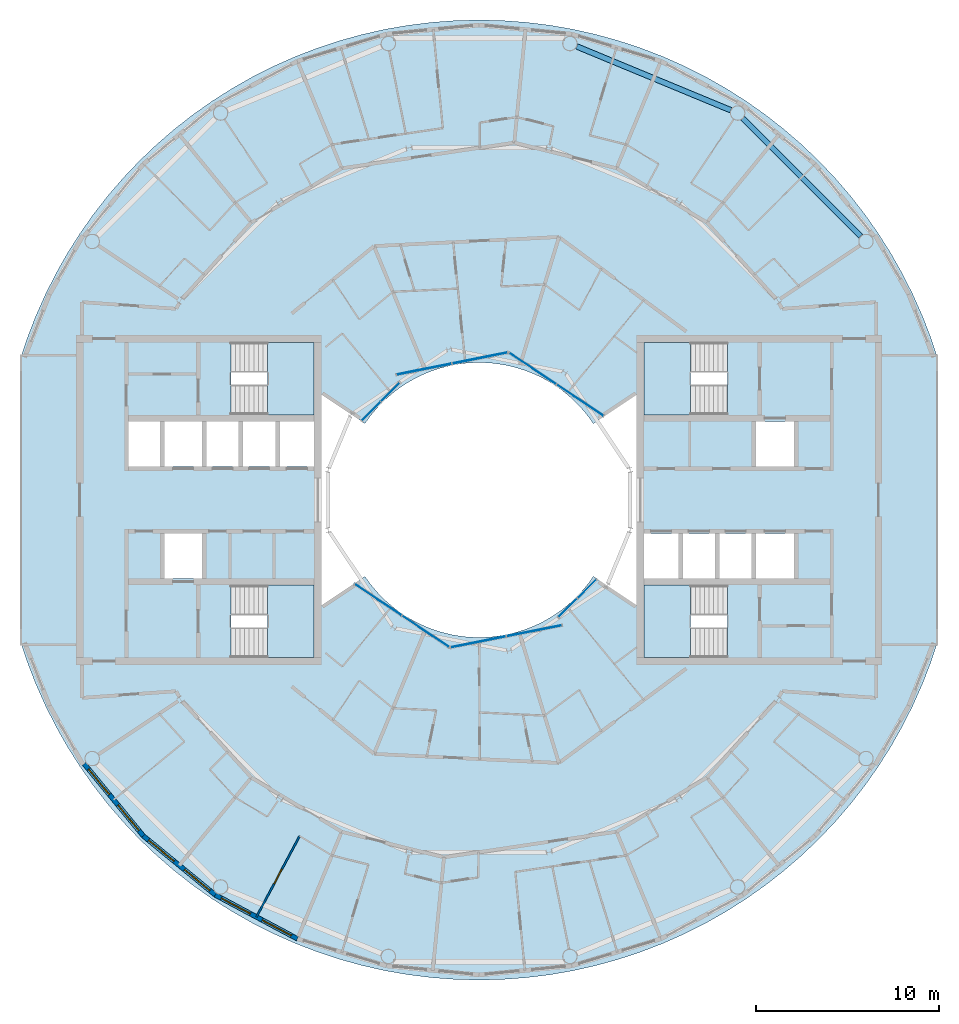
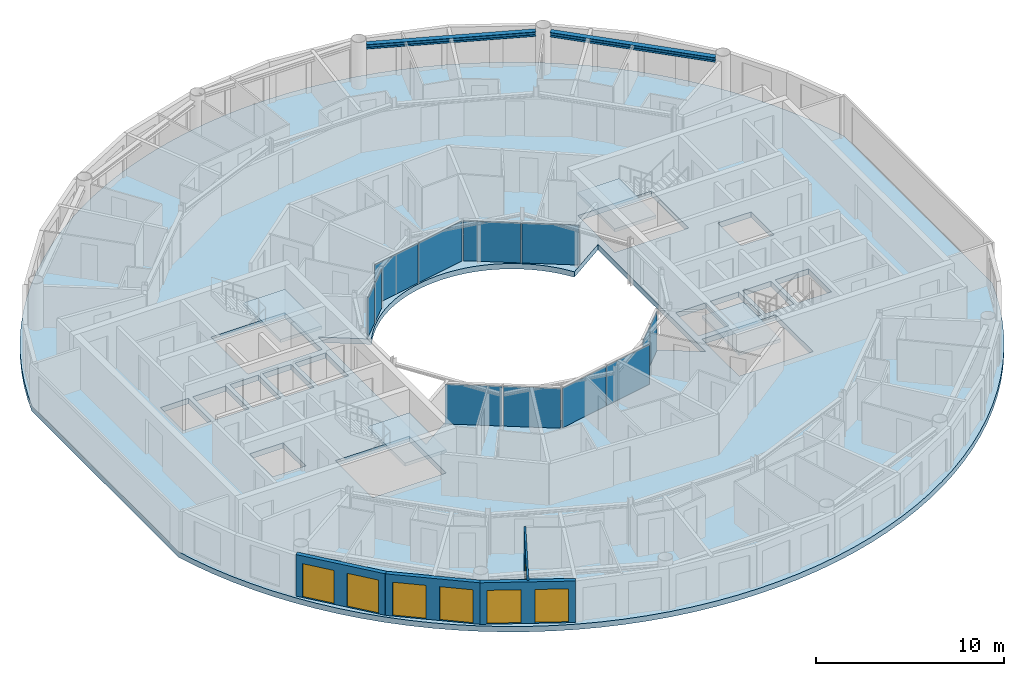
# One storey, part 10 of 22: 12 plates, 7 doors, 5 slabs, 4 walls, 2 beams, 7 openings, 10 elements without a shape of their own.
"""IFC4 building model written with IfcOpenShell, lengths in metres."""

from ifc_helpers import new_model, si_unit, direction, frame, frame_2d, origin, origin_2d, place, context, subcontext, project, spatial, polyline, rectangle, i_section, outline, extrude, material, layer, layer_set, material_profile, profile_set, type_object, element, fill, aggregate, save


model = new_model("IFC4")

# Units and contexts
model_context = context("Model", 3, precision=1e-05, world=origin(), true_north=direction((0.0, 1.0)))
body_context = subcontext(model_context, "Body", "Model", "MODEL_VIEW")
ifc_project = project(units=[si_unit("LENGTHUNIT", "METRE"), si_unit("AREAUNIT", "SQUARE_METRE"), si_unit("VOLUMEUNIT", "CUBIC_METRE"), si_unit("PLANEANGLEUNIT", "RADIAN"), si_unit("MASSUNIT", "GRAM", prefix="KILO")], contexts=[model_context])

# Site, building, storey
site_placement = place(None, origin())
site = spatial("IfcSite", under=ifc_project, at=site_placement, CompositionType="ELEMENT")
building_placement = place(site_placement, origin())
building = spatial("IfcBuilding", under=site, at=building_placement, Name="Maasbend Ring Residences", CompositionType="ELEMENT")
storey_placement = place(building_placement, frame((0.0, 0.0, 237.10009765625)))
storey = spatial("IfcBuildingStorey", under=building, at=storey_placement, Name="L68", CompositionType="ELEMENT", Elevation=237.10009765625)

# Beams
ifc_material_1 = material(Name="Steel S355J2", Category="steel")
ifc_material_profile = material_profile(ifc_material_1, i_section(OverallWidth=0.300048828125, OverallDepth=0.300048828125, WebThickness=0.010986328125, FlangeThickness=0.01904296875, FilletRadius=0.027099609375, at=origin_2d()), Name="HEB 300")
ifc_profile_set = profile_set([ifc_material_profile], Name="Steel S355J2")
beam_type = type_object("IfcBeamType", Name="Spandrel ring beam HEB 300", PredefinedType="SPANDREL", material=ifc_profile_set)
for number, where, z_axis, x_axis, name in (
    (1, (20.831787109375, 14.39892578125, 2.5498046875), (-0.707106781187, 0.707106781187, 0.0), (-0.707106781187, -0.707106781187, 0.0), "Spandrel ring beam"),
    (2, (13.73583984375, 21.27490234375, 2.5498046875), (-0.923880768897, 0.382680447453, 0.0), (-0.382680447453, -0.923880768897, 0.0), "Spandrel ring beam"),
):
    element("IfcBeam", number, at=place(storey_placement, frame(where, z_axis=z_axis, x_axis=x_axis)), inside=storey, type_object=beam_type, Name=name, PredefinedType="SPANDREL", context=body_context, shape_type="SweptSolid", body=[
        extrude(i_section(OverallWidth=0.300048828125, OverallDepth=0.300048828125, WebThickness=0.010986328125, FlangeThickness=0.01904296875, FilletRadius=0.027099609375, at=origin_2d()), origin(), (0.0, 0.0, 1.0), 9.097412109375),
    ])

# Stair, slab
ifc_material_2 = material(Name="Concrete C40/50", Category="concrete")
stair_type = type_object("IfcStairType", Name="CORE STAIR 18 RISERS", PredefinedType="HALF_TURN_STAIR", material=ifc_material_2)
stair_1_placement = place(storey_placement, origin())
stair_1 = element("IfcStair", 3, at=stair_1_placement, inside=storey, type_object=stair_type, Name="L68 Exit stair ST-E1", PredefinedType="HALF_TURN_STAIR")
ifc_material_3 = material(Name="Concrete C40/50", Category="concrete")
ifc_layer_1 = layer(ifc_material_3, 0.199951171875)
ifc_layer_set_1 = layer_set([ifc_layer_1], Name="Concrete C40/50")
slab_type_1 = type_object("IfcSlabType", Name="CORE STAIR LANDING 200", PredefinedType="LANDING", material=ifc_layer_set_1)
slab_1_placement = place(storey_placement, frame((0.0, 0.0, 1.324951171875)))
slab_1 = element("IfcSlab", 4, at=slab_1_placement, type_object=slab_type_1, Name="ST-E1 landing 1", PredefinedType="LANDING", context=body_context, shape_type="SweptSolid", body=[
    extrude(outline(polyline([(11.550048828125, 8.60009765625), (9.0, 8.60009765625), (9.0, 4.64990234375), (11.550048828125, 4.64990234375), (11.550048828125, 8.60009765625)])), origin(), (0.0, 0.0, 1.0), 0.199951171875),
])
aggregate(stair_1, [slab_1])

stair_2_placement = place(storey_placement, origin())
stair_2 = element("IfcStair", 5, at=stair_2_placement, inside=storey, type_object=stair_type, Name="L68 Exit stair ST-E2", PredefinedType="HALF_TURN_STAIR")
slab_2_placement = place(storey_placement, frame((0.0, 0.0, 1.324951171875)))
slab_2 = element("IfcSlab", 6, at=slab_2_placement, type_object=slab_type_1, Name="ST-E2 landing 1", PredefinedType="LANDING", context=body_context, shape_type="SweptSolid", body=[
    extrude(outline(polyline([(11.550048828125, -4.64990234375), (9.0, -4.64990234375), (9.0, -8.60009765625), (11.550048828125, -8.60009765625), (11.550048828125, -4.64990234375)])), origin(), (0.0, 0.0, 1.0), 0.199951171875),
])
aggregate(stair_2, [slab_2])

stair_3_placement = place(storey_placement, origin())
stair_3 = element("IfcStair", 7, at=stair_3_placement, inside=storey, type_object=stair_type, Name="L68 Exit stair ST-W1", PredefinedType="HALF_TURN_STAIR")
slab_3_placement = place(storey_placement, frame((0.0, 0.0, 1.324951171875)))
slab_3 = element("IfcSlab", 8, at=slab_3_placement, type_object=slab_type_1, Name="ST-W1 landing 1", PredefinedType="LANDING", context=body_context, shape_type="SweptSolid", body=[
    extrude(outline(polyline([(-11.550048828125, -8.60009765625), (-9.0, -8.60009765625), (-9.0, -4.64990234375), (-11.550048828125, -4.64990234375), (-11.550048828125, -8.60009765625)])), origin(), (0.0, 0.0, 1.0), 0.199951171875),
])
aggregate(stair_3, [slab_3])

stair_4_placement = place(storey_placement, origin())
stair_4 = element("IfcStair", 9, at=stair_4_placement, inside=storey, type_object=stair_type, Name="L68 Exit stair ST-W2", PredefinedType="HALF_TURN_STAIR")
slab_4_placement = place(storey_placement, frame((0.0, 0.0, 1.324951171875)))
slab_4 = element("IfcSlab", 10, at=slab_4_placement, type_object=slab_type_1, Name="ST-W2 landing 1", PredefinedType="LANDING", context=body_context, shape_type="SweptSolid", body=[
    extrude(outline(polyline([(-11.550048828125, 4.64990234375), (-9.0, 4.64990234375), (-9.0, 8.60009765625), (-11.550048828125, 8.60009765625), (-11.550048828125, 4.64990234375)])), origin(), (0.0, 0.0, 1.0), 0.199951171875),
])
aggregate(stair_4, [slab_4])

# Curtain wall, plates
ifc_material_4 = material(Name="Aluminium and clear glass", Category="aluminium")
ifc_layer_2 = layer(ifc_material_4, 0.179931640625)
ifc_layer_set_2 = layer_set([ifc_layer_2], Name="CW-W")
curtain_wall_type = type_object("IfcCurtainWallType", Name="CW-W", PredefinedType="NOTDEFINED", material=ifc_layer_set_2)
curtain_wall_1_placement = place(storey_placement, origin())
curtain_wall_1 = element("IfcCurtainWall", 11, at=curtain_wall_1_placement, inside=storey, type_object=curtain_wall_type, Name="Well curtain wall N1", PredefinedType="NOTDEFINED")
ifc_material_5 = material(Name="Glass clear laminated", Category="glass")
ifc_layer_3 = layer(ifc_material_5, 0.031982421875)
ifc_layer_set_3 = layer_set([ifc_layer_3], Name="CWP-W")
plate_type = type_object("IfcPlateType", Name="CWP-W", PredefinedType="CURTAIN_PANEL", material=ifc_layer_set_3)
plate_1_placement = place(storey_placement, frame((5.51123046875, 5.44580078125, -0.000244140625), z_axis=(0.0, 0.0, 1.0), x_axis=(-0.831469612303, 0.55557023302, 0.0)))
plate_1 = element("IfcPlate", 12, at=plate_1_placement, type_object=plate_type, Name="Glass panel well face", PredefinedType="CURTAIN_PANEL", context=body_context, shape_type="SweptSolid", body=[
    extrude(rectangle(XDim=3.053955078125, YDim=0.031982421875, at=origin_2d()), origin(), (0.0, 0.0, 1.0), 2.580078125),
])
plate_2_placement = place(storey_placement, frame((2.922119140625, 7.17578125, -0.000244140625), z_axis=(0.0, 0.0, 1.0), x_axis=(-0.831469612303, 0.55557023302, 0.0)))
plate_2 = element("IfcPlate", 13, at=plate_2_placement, type_object=plate_type, Name="Glass panel well face", PredefinedType="CURTAIN_PANEL", context=body_context, shape_type="SweptSolid", body=[
    extrude(rectangle(XDim=3.053955078125, YDim=0.031982421875, at=origin_2d()), origin(), (0.0, 0.0, 1.0), 2.580078125),
])
aggregate(curtain_wall_1, [plate_1, plate_2])

curtain_wall_2_placement = place(storey_placement, origin())
curtain_wall_2 = element("IfcCurtainWall", 14, at=curtain_wall_2_placement, inside=storey, type_object=curtain_wall_type, Name="Well curtain wall N2", PredefinedType="NOTDEFINED")
plate_3_placement = place(storey_placement, frame((0.04638671875, 7.747802734375, -0.000244140625), z_axis=(0.0, 0.0, 1.0), x_axis=(-0.980785280403, -0.195090322016, 0.0)))
plate_3 = element("IfcPlate", 15, at=plate_3_placement, type_object=plate_type, Name="Glass panel well face", PredefinedType="CURTAIN_PANEL", context=body_context, shape_type="SweptSolid", body=[
    extrude(rectangle(XDim=3.053955078125, YDim=0.031982421875, at=origin_2d()), origin(), (0.0, 0.0, 1.0), 2.580078125),
])
plate_4_placement = place(storey_placement, frame((-3.0078125, 7.140380859375, -0.000244140625), z_axis=(0.0, 0.0, 1.0), x_axis=(-0.980785280403, -0.195090322016, 0.0)))
plate_4 = element("IfcPlate", 16, at=plate_4_placement, type_object=plate_type, Name="Glass panel well face", PredefinedType="CURTAIN_PANEL", context=body_context, shape_type="SweptSolid", body=[
    extrude(rectangle(XDim=3.053955078125, YDim=0.031982421875, at=origin_2d()), origin(), (0.0, 0.0, 1.0), 2.580078125),
])
aggregate(curtain_wall_2, [plate_3, plate_4])

curtain_wall_3_placement = place(storey_placement, origin())
curtain_wall_3 = element("IfcCurtainWall", 17, at=curtain_wall_3_placement, inside=storey, type_object=curtain_wall_type, Name="Well curtain wall N3", PredefinedType="NOTDEFINED")
plate_5_placement = place(storey_placement, frame((-4.84375, 5.89013671875, -0.000244140625), z_axis=(0.0, 0.0, 1.0), x_axis=(-0.707106781187, -0.707106781187, 0.0)))
plate_5 = element("IfcPlate", 18, at=plate_5_placement, type_object=plate_type, Name="Glass panel well face", PredefinedType="CURTAIN_PANEL", context=body_context, shape_type="SweptSolid", body=[
    extrude(rectangle(XDim=1.419677734375, YDim=0.031982421875, at=origin_2d()), origin(), (0.0, 0.0, 1.0), 2.580078125),
])
plate_6_placement = place(storey_placement, frame((-5.89013671875, 4.84375, -0.000244140625), z_axis=(0.0, 0.0, 1.0), x_axis=(-0.707106781187, -0.707106781187, 0.0)))
plate_6 = element("IfcPlate", 19, at=plate_6_placement, type_object=plate_type, Name="Glass panel well face", PredefinedType="CURTAIN_PANEL", context=body_context, shape_type="SweptSolid", body=[
    extrude(rectangle(XDim=1.419677734375, YDim=0.031982421875, at=origin_2d()), origin(), (0.0, 0.0, 1.0), 2.580078125),
])
aggregate(curtain_wall_3, [plate_5, plate_6])

curtain_wall_4_placement = place(storey_placement, origin())
curtain_wall_4 = element("IfcCurtainWall", 20, at=curtain_wall_4_placement, inside=storey, type_object=curtain_wall_type, Name="Well curtain wall S1", PredefinedType="NOTDEFINED")
plate_7_placement = place(storey_placement, frame((-5.51123046875, -5.44580078125, -0.000244140625), z_axis=(0.0, 0.0, 1.0), x_axis=(0.831469612303, -0.55557023302, 0.0)))
plate_7 = element("IfcPlate", 21, at=plate_7_placement, type_object=plate_type, Name="Glass panel well face", PredefinedType="CURTAIN_PANEL", context=body_context, shape_type="SweptSolid", body=[
    extrude(rectangle(XDim=3.053955078125, YDim=0.031982421875, at=origin_2d()), origin(), (0.0, 0.0, 1.0), 2.580078125),
])
plate_8_placement = place(storey_placement, frame((-2.922119140625, -7.17578125, -0.000244140625), z_axis=(0.0, 0.0, 1.0), x_axis=(0.831469612303, -0.55557023302, 0.0)))
plate_8 = element("IfcPlate", 22, at=plate_8_placement, type_object=plate_type, Name="Glass panel well face", PredefinedType="CURTAIN_PANEL", context=body_context, shape_type="SweptSolid", body=[
    extrude(rectangle(XDim=3.053955078125, YDim=0.031982421875, at=origin_2d()), origin(), (0.0, 0.0, 1.0), 2.580078125),
])
aggregate(curtain_wall_4, [plate_7, plate_8])

curtain_wall_5_placement = place(storey_placement, origin())
curtain_wall_5 = element("IfcCurtainWall", 23, at=curtain_wall_5_placement, inside=storey, type_object=curtain_wall_type, Name="Well curtain wall S2", PredefinedType="NOTDEFINED")
plate_9_placement = place(storey_placement, frame((-0.04638671875, -7.747802734375, -0.000244140625), z_axis=(0.0, 0.0, 1.0), x_axis=(0.980785280403, 0.195090322016, 0.0)))
plate_9 = element("IfcPlate", 24, at=plate_9_placement, type_object=plate_type, Name="Glass panel well face", PredefinedType="CURTAIN_PANEL", context=body_context, shape_type="SweptSolid", body=[
    extrude(rectangle(XDim=3.053955078125, YDim=0.031982421875, at=origin_2d()), origin(), (0.0, 0.0, 1.0), 2.580078125),
])
plate_10_placement = place(storey_placement, frame((3.0078125, -7.140380859375, -0.000244140625), z_axis=(0.0, 0.0, 1.0), x_axis=(0.980785280403, 0.195090322016, 0.0)))
plate_10 = element("IfcPlate", 25, at=plate_10_placement, type_object=plate_type, Name="Glass panel well face", PredefinedType="CURTAIN_PANEL", context=body_context, shape_type="SweptSolid", body=[
    extrude(rectangle(XDim=3.053955078125, YDim=0.031982421875, at=origin_2d()), origin(), (0.0, 0.0, 1.0), 2.580078125),
])
aggregate(curtain_wall_5, [plate_9, plate_10])

curtain_wall_6_placement = place(storey_placement, origin())
curtain_wall_6 = element("IfcCurtainWall", 26, at=curtain_wall_6_placement, inside=storey, type_object=curtain_wall_type, Name="Well curtain wall S3", PredefinedType="NOTDEFINED")
plate_11_placement = place(storey_placement, frame((4.84375, -5.89013671875, -0.000244140625), z_axis=(0.0, 0.0, 1.0), x_axis=(0.707106781187, 0.707106781187, 0.0)))
plate_11 = element("IfcPlate", 27, at=plate_11_placement, type_object=plate_type, Name="Glass panel well face", PredefinedType="CURTAIN_PANEL", context=body_context, shape_type="SweptSolid", body=[
    extrude(rectangle(XDim=1.419677734375, YDim=0.031982421875, at=origin_2d()), origin(), (0.0, 0.0, 1.0), 2.580078125),
])
plate_12_placement = place(storey_placement, frame((5.89013671875, -4.84375, -0.000244140625), z_axis=(0.0, 0.0, 1.0), x_axis=(0.707106781187, 0.707106781187, 0.0)))
plate_12 = element("IfcPlate", 28, at=plate_12_placement, type_object=plate_type, Name="Glass panel well face", PredefinedType="CURTAIN_PANEL", context=body_context, shape_type="SweptSolid", body=[
    extrude(rectangle(XDim=1.419677734375, YDim=0.031982421875, at=origin_2d()), origin(), (0.0, 0.0, 1.0), 2.580078125),
])
aggregate(curtain_wall_6, [plate_11, plate_12])

# Slab
ifc_material_6 = material(Name="Concrete C40/50", Category="concrete")
ifc_layer_4 = layer(ifc_material_6, 0.35009765625)
ifc_layer_set_4 = layer_set([ifc_layer_4], Name="Concrete C40/50")
slab_type_2 = type_object("IfcSlabType", Name="Post-tensioned flat plate 350", PredefinedType="FLOOR", material=ifc_layer_set_4)
slab_5_placement = place(storey_placement, frame((0.0, 0.0, -0.35009765625)))
element("IfcSlab", 29, at=slab_5_placement, inside=storey, type_object=slab_type_2, Name="Floor slab L68", PredefinedType="FLOOR", context=body_context, shape_type="SweptSolid", body=[
    extrude(outline(polyline([(23.106201171875, -12.3505859375), (23.6845703125, -11.201904296875), (24.20556640625, -10.0263671875), (24.66845703125, -8.826416015625), (25.0, -7.822998046875), (25.0, 7.822998046875), (24.66845703125, 8.826416015625), (24.20556640625, 10.0263671875), (23.6845703125, 11.201904296875), (23.106201171875, 12.3505859375), (22.472412109375, 13.469482421875), (21.784423828125, 14.555908203125), (21.0439453125, 15.607421875), (20.2529296875, 16.62109375), (19.412841796875, 17.5947265625), (18.526123046875, 18.526123046875), (17.5947265625, 19.412841796875), (16.62109375, 20.2529296875), (15.607421875, 21.0439453125), (14.555908203125, 21.784423828125), (13.469482421875, 22.472412109375), (12.3505859375, 23.106201171875), (11.201904296875, 23.6845703125), (10.0263671875, 24.20556640625), (8.826416015625, 24.66845703125), (7.60546875, 25.07177734375), (6.3662109375, 25.414794921875), (5.111328125, 25.696533203125), (3.84423828125, 25.91650390625), (2.568115234375, 26.07373046875), (1.28564453125, 26.16845703125), (0.0, 26.199951171875), (-1.28564453125, 26.16845703125), (-2.568115234375, 26.07373046875), (-3.84423828125, 25.91650390625), (-5.111328125, 25.696533203125), (-6.3662109375, 25.414794921875), (-7.60546875, 25.07177734375), (-8.826416015625, 24.66845703125), (-10.0263671875, 24.20556640625), (-11.201904296875, 23.6845703125), (-12.3505859375, 23.106201171875), (-13.469482421875, 22.472412109375), (-14.555908203125, 21.784423828125), (-15.607421875, 21.0439453125), (-16.62109375, 20.2529296875), (-17.5947265625, 19.412841796875), (-18.526123046875, 18.526123046875), (-19.412841796875, 17.5947265625), (-20.2529296875, 16.62109375), (-21.0439453125, 15.607421875), (-21.784423828125, 14.555908203125), (-22.472412109375, 13.469482421875), (-23.106201171875, 12.3505859375), (-23.6845703125, 11.201904296875), (-24.20556640625, 10.0263671875), (-24.66845703125, 8.826416015625), (-25.0, 7.822998046875), (-25.0, -7.822998046875), (-24.66845703125, -8.826416015625), (-24.20556640625, -10.0263671875), (-23.6845703125, -11.201904296875), (-23.106201171875, -12.3505859375), (-22.472412109375, -13.469482421875), (-21.784423828125, -14.555908203125), (-21.0439453125, -15.607421875), (-20.2529296875, -16.62109375), (-19.412841796875, -17.5947265625), (-18.526123046875, -18.526123046875), (-17.5947265625, -19.412841796875), (-16.62109375, -20.2529296875), (-15.607421875, -21.0439453125), (-14.555908203125, -21.784423828125), (-13.469482421875, -22.472412109375), (-12.3505859375, -23.106201171875), (-11.201904296875, -23.6845703125), (-10.0263671875, -24.20556640625), (-8.826416015625, -24.66845703125), (-7.60546875, -25.07177734375), (-6.3662109375, -25.414794921875), (-5.111328125, -25.696533203125), (-3.84423828125, -25.91650390625), (-2.568115234375, -26.07373046875), (-1.28564453125, -26.16845703125), (0.0, -26.199951171875), (1.28564453125, -26.16845703125), (2.568115234375, -26.07373046875), (3.84423828125, -25.91650390625), (5.111328125, -25.696533203125), (6.3662109375, -25.414794921875), (7.60546875, -25.07177734375), (8.826416015625, -24.66845703125), (10.0263671875, -24.20556640625), (11.201904296875, -23.6845703125), (12.3505859375, -23.106201171875), (13.469482421875, -22.472412109375), (14.555908203125, -21.784423828125), (15.607421875, -21.0439453125), (16.62109375, -20.2529296875), (17.5947265625, -19.412841796875), (18.526123046875, -18.526123046875), (19.412841796875, -17.5947265625), (20.2529296875, -16.62109375), (21.0439453125, -15.607421875), (21.784423828125, -14.555908203125), (22.472412109375, -13.469482421875), (23.106201171875, -12.3505859375)]), holes=[polyline([(15.125, 1.824951171875), (15.125, 4.27490234375), (17.175048828125, 4.27490234375), (17.175048828125, 1.824951171875), (15.125, 1.824951171875)]), polyline([(15.125, -4.27490234375), (15.125, -1.824951171875), (17.175048828125, -1.824951171875), (17.175048828125, -4.27490234375), (15.125, -4.27490234375)]), polyline([(13.125, -4.27490234375), (13.125, -1.824951171875), (14.875, -1.824951171875), (14.875, -4.27490234375), (13.125, -4.27490234375)]), polyline([(13.550048828125, 8.60009765625), (13.550048828125, 4.64990234375), (9.0, 4.64990234375), (9.0, 8.60009765625), (13.550048828125, 8.60009765625)]), polyline([(13.550048828125, -4.64990234375), (13.550048828125, -8.60009765625), (9.0, -8.60009765625), (9.0, -4.64990234375), (13.550048828125, -4.64990234375)]), polyline([(11.125, -4.27490234375), (11.125, -1.824951171875), (12.875, -1.824951171875), (12.875, -4.27490234375), (11.125, -4.27490234375)]), polyline([(9.0, -4.27490234375), (9.0, -1.824951171875), (10.875, -1.824951171875), (10.875, -4.27490234375), (9.0, -4.27490234375)]), polyline([(6.024169921875, 4.4677734375), (6.236083984375, 4.166748046875), (8.60009765625, 5.746337890625), (8.60009765625, -5.746337890625), (6.236083984375, -4.166748046875), (6.024169921875, -4.4677734375), (5.797607421875, -4.7578125), (5.55712890625, -5.03662109375), (5.30322265625, -5.30322265625), (5.03662109375, -5.55712890625), (4.7578125, -5.797607421875), (4.4677734375, -6.024169921875), (4.166748046875, -6.236083984375), (3.855712890625, -6.43310546875), (3.535400390625, -6.614501953125), (3.206787109375, -6.77978515625), (2.8701171875, -6.92919921875), (2.526611328125, -7.0615234375), (2.177001953125, -7.177001953125), (1.822509765625, -7.275146484375), (1.463134765625, -7.35595703125), (1.1005859375, -7.418701171875), (0.735107421875, -7.4638671875), (0.367919921875, -7.490966796875), (0.0, -7.5), (-0.367919921875, -7.490966796875), (-0.735107421875, -7.4638671875), (-1.1005859375, -7.418701171875), (-1.463134765625, -7.35595703125), (-1.822509765625, -7.275146484375), (-2.177001953125, -7.177001953125), (-2.526611328125, -7.0615234375), (-2.8701171875, -6.92919921875), (-3.206787109375, -6.77978515625), (-3.535400390625, -6.614501953125), (-3.855712890625, -6.43310546875), (-4.166748046875, -6.236083984375), (-4.4677734375, -6.024169921875), (-4.7578125, -5.797607421875), (-5.03662109375, -5.55712890625), (-5.30322265625, -5.30322265625), (-5.55712890625, -5.03662109375), (-5.797607421875, -4.7578125), (-6.024169921875, -4.4677734375), (-6.236083984375, -4.166748046875), (-8.60009765625, -5.746337890625), (-8.60009765625, 5.746337890625), (-6.236083984375, 4.166748046875), (-6.024169921875, 4.4677734375), (-5.797607421875, 4.7578125), (-5.55712890625, 5.03662109375), (-5.30322265625, 5.30322265625), (-5.03662109375, 5.55712890625), (-4.7578125, 5.797607421875), (-4.4677734375, 6.024169921875), (-4.166748046875, 6.236083984375), (-3.855712890625, 6.43310546875), (-3.535400390625, 6.614501953125), (-3.206787109375, 6.77978515625), (-2.8701171875, 6.92919921875), (-2.526611328125, 7.0615234375), (-2.177001953125, 7.177001953125), (-1.822509765625, 7.275146484375), (-1.463134765625, 7.35595703125), (-1.1005859375, 7.418701171875), (-0.735107421875, 7.4638671875), (-0.367919921875, 7.490966796875), (0.0, 7.5), (0.367919921875, 7.490966796875), (0.735107421875, 7.4638671875), (1.1005859375, 7.418701171875), (1.463134765625, 7.35595703125), (1.822509765625, 7.275146484375), (2.177001953125, 7.177001953125), (2.526611328125, 7.0615234375), (2.8701171875, 6.92919921875), (3.206787109375, 6.77978515625), (3.535400390625, 6.614501953125), (3.855712890625, 6.43310546875), (4.166748046875, 6.236083984375), (4.4677734375, 6.024169921875), (4.7578125, 5.797607421875), (5.03662109375, 5.55712890625), (5.30322265625, 5.30322265625), (5.55712890625, 5.03662109375), (5.797607421875, 4.7578125), (6.024169921875, 4.4677734375)]), polyline([(-13.550048828125, 4.64990234375), (-13.550048828125, 8.60009765625), (-9.0, 8.60009765625), (-9.0, 4.64990234375), (-13.550048828125, 4.64990234375)]), polyline([(-9.0, -8.60009765625), (-13.550048828125, -8.60009765625), (-13.550048828125, -4.64990234375), (-9.0, -4.64990234375), (-9.0, -8.60009765625)]), polyline([(-9.0, 4.27490234375), (-9.0, 1.824951171875), (-10.875, 1.824951171875), (-10.875, 4.27490234375), (-9.0, 4.27490234375)]), polyline([(-11.125, 4.27490234375), (-11.125, 1.824951171875), (-12.875, 1.824951171875), (-12.875, 4.27490234375), (-11.125, 4.27490234375)]), polyline([(-13.125, 4.27490234375), (-13.125, 1.824951171875), (-14.875, 1.824951171875), (-14.875, 4.27490234375), (-13.125, 4.27490234375)]), polyline([(-15.125, 4.27490234375), (-15.125, 1.824951171875), (-17.175048828125, 1.824951171875), (-17.175048828125, 4.27490234375), (-15.125, 4.27490234375)]), polyline([(-15.125, -1.824951171875), (-15.125, -4.27490234375), (-17.175048828125, -4.27490234375), (-17.175048828125, -1.824951171875), (-15.125, -1.824951171875)]), polyline([(-17.425048828125, 4.27490234375), (-17.425048828125, 1.824951171875), (-19.14990234375, 1.824951171875), (-19.14990234375, 4.27490234375), (-17.425048828125, 4.27490234375)])]), origin(), (0.0, 0.0, 1.0), 0.35009765625),
])

# Wall, openings, doors
ifc_material_7 = material(Name="Aluminium clad insulated panel", Category="aluminium")
ifc_layer_5 = layer(ifc_material_7, 0.25)
ifc_layer_set_5 = layer_set([ifc_layer_5], Name="EW-GL")
wall_type_1 = type_object("IfcWallType", Name="EW-GL", PredefinedType="SOLIDWALL", material=ifc_layer_set_5)
wall_1_placement = place(storey_placement, frame((-21.555908203125, -14.403076171875, 0.0), z_axis=(0.0, 0.0, 1.0), x_axis=(0.63433059803, -0.77306189429, 0.0)))
wall_1 = element("IfcWall", 30, at=wall_1_placement, inside=storey, type_object=wall_type_1, Name="External wall S01", PredefinedType="SOLIDWALL", context=body_context, shape_type="SweptSolid", body=[
    extrude(rectangle(XDim=5.082275390625, YDim=0.25, at=frame_2d((2.541015625, 0.0))), origin(), (0.0, 0.0, 1.0), 2.699951171875),
])
opening_1_placement = place(wall_1_placement, frame((0.37353515625, 0.0, 0.0)))
opening_1 = element("IfcOpeningElement", 31, at=opening_1_placement, cuts=wall_1, Name="Opening D-TR", PredefinedType="OPENING", context=body_context, shape_type="SweptSolid", body=[
    extrude(rectangle(XDim=1.800048828125, YDim=2.199951171875, at=frame_2d((0.89990234375, 1.10009765625))), frame((0.0, 0.135009765625, 0.0), z_axis=(0.0, -1.0, 0.0), x_axis=(1.0, 0.0, 0.0)), (0.0, 0.0, 1.0), 0.27001953125),
])
opening_2_placement = place(wall_1_placement, frame((2.90869140625, 0.0, 0.0)))
opening_2 = element("IfcOpeningElement", 32, at=opening_2_placement, cuts=wall_1, Name="Opening D-TR", PredefinedType="OPENING", context=body_context, shape_type="SweptSolid", body=[
    extrude(rectangle(XDim=1.800048828125, YDim=2.199951171875, at=frame_2d((0.89990234375, 1.10009765625))), frame((0.0, 0.135009765625, 0.0), z_axis=(0.0, -1.0, 0.0), x_axis=(1.0, 0.0, 0.0)), (0.0, 0.0, 1.0), 0.27001953125),
])
ifc_material_8 = material(Name="Aluminium and clear glass", Category="aluminium")
door_type_1 = type_object("IfcDoorType", Name="D-TR", OperationType="DOUBLE_DOOR_SINGLE_SWING", PredefinedType="DOOR", material=ifc_material_8)
door_1_placement = place(opening_1_placement, origin())
door_1 = element("IfcDoor", 33, at=door_1_placement, inside=storey, type_object=door_type_1, Name="Terrace door S01", OperationType="SINGLE_SWING_LEFT", OverallHeight=2.199951171875, OverallWidth=1.800048828125, PredefinedType="DOOR", context=body_context, shape_type="SweptSolid", body=[
    extrude(rectangle(XDim=1.800048828125, YDim=2.199951171875, at=frame_2d((0.89990234375, 1.10009765625))), frame((0.0, 0.02490234375, 0.0), z_axis=(0.0, -1.0, 0.0), x_axis=(1.0, 0.0, 0.0)), (0.0, 0.0, 1.0), 0.050048828125),
])
fill(opening_1, door_1)
door_2_placement = place(opening_2_placement, origin())
door_2 = element("IfcDoor", 34, at=door_2_placement, inside=storey, type_object=door_type_1, Name="Terrace door S02", OperationType="SINGLE_SWING_LEFT", OverallHeight=2.199951171875, OverallWidth=1.800048828125, PredefinedType="DOOR", context=body_context, shape_type="SweptSolid", body=[
    extrude(rectangle(XDim=1.800048828125, YDim=2.199951171875, at=frame_2d((0.89990234375, 1.10009765625))), frame((0.0, 0.02490234375, 0.0), z_axis=(0.0, -1.0, 0.0), x_axis=(1.0, 0.0, 0.0)), (0.0, 0.0, 1.0), 0.050048828125),
])
fill(opening_2, door_2)

wall_2_placement = place(storey_placement, frame((-18.33203125, -18.33203125, 0.0), z_axis=(0.0, 0.0, 1.0), x_axis=(0.77306189429, -0.63433059803, 0.0)))
wall_2 = element("IfcWall", 35, at=wall_2_placement, inside=storey, type_object=wall_type_1, Name="External wall S02", PredefinedType="SOLIDWALL", context=body_context, shape_type="SweptSolid", body=[
    extrude(rectangle(XDim=5.082275390625, YDim=0.25, at=frame_2d((2.541015625, 0.0))), origin(), (0.0, 0.0, 1.0), 2.699951171875),
])
opening_3_placement = place(wall_2_placement, frame((0.37353515625, 0.0, 0.0)))
opening_3 = element("IfcOpeningElement", 36, at=opening_3_placement, cuts=wall_2, Name="Opening D-TR", PredefinedType="OPENING", context=body_context, shape_type="SweptSolid", body=[
    extrude(rectangle(XDim=1.800048828125, YDim=2.199951171875, at=frame_2d((0.89990234375, 1.10009765625))), frame((0.0, 0.135009765625, 0.0), z_axis=(0.0, -1.0, 0.0), x_axis=(1.0, 0.0, 0.0)), (0.0, 0.0, 1.0), 0.27001953125),
])
opening_4_placement = place(wall_2_placement, frame((2.90869140625, 0.0, 0.0)))
opening_4 = element("IfcOpeningElement", 37, at=opening_4_placement, cuts=wall_2, Name="Opening D-TR", PredefinedType="OPENING", context=body_context, shape_type="SweptSolid", body=[
    extrude(rectangle(XDim=1.800048828125, YDim=2.199951171875, at=frame_2d((0.89990234375, 1.10009765625))), frame((0.0, 0.135009765625, 0.0), z_axis=(0.0, -1.0, 0.0), x_axis=(1.0, 0.0, 0.0)), (0.0, 0.0, 1.0), 0.27001953125),
])
door_3_placement = place(opening_3_placement, origin())
door_3 = element("IfcDoor", 38, at=door_3_placement, inside=storey, type_object=door_type_1, Name="Terrace door S03", OperationType="SINGLE_SWING_LEFT", OverallHeight=2.199951171875, OverallWidth=1.800048828125, PredefinedType="DOOR", context=body_context, shape_type="SweptSolid", body=[
    extrude(rectangle(XDim=1.800048828125, YDim=2.199951171875, at=frame_2d((0.89990234375, 1.10009765625))), frame((0.0, 0.02490234375, 0.0), z_axis=(0.0, -1.0, 0.0), x_axis=(1.0, 0.0, 0.0)), (0.0, 0.0, 1.0), 0.050048828125),
])
fill(opening_3, door_3)
door_4_placement = place(opening_4_placement, origin())
door_4 = element("IfcDoor", 39, at=door_4_placement, inside=storey, type_object=door_type_1, Name="Terrace door S04", OperationType="SINGLE_SWING_LEFT", OverallHeight=2.199951171875, OverallWidth=1.800048828125, PredefinedType="DOOR", context=body_context, shape_type="SweptSolid", body=[
    extrude(rectangle(XDim=1.800048828125, YDim=2.199951171875, at=frame_2d((0.89990234375, 1.10009765625))), frame((0.0, 0.02490234375, 0.0), z_axis=(0.0, -1.0, 0.0), x_axis=(1.0, 0.0, 0.0)), (0.0, 0.0, 1.0), 0.050048828125),
])
fill(opening_4, door_4)

wall_3_placement = place(storey_placement, frame((-14.403076171875, -21.555908203125, 0.0), z_axis=(0.0, 0.0, 1.0), x_axis=(0.881903089468, -0.47143073806, 0.0)))
wall_3 = element("IfcWall", 40, at=wall_3_placement, inside=storey, type_object=wall_type_1, Name="External wall S03", PredefinedType="SOLIDWALL", context=body_context, shape_type="SweptSolid", body=[
    extrude(rectangle(XDim=5.082275390625, YDim=0.25, at=frame_2d((2.541015625, 0.0))), origin(), (0.0, 0.0, 1.0), 2.699951171875),
])
opening_5_placement = place(wall_3_placement, frame((0.37353515625, 0.0, 0.0)))
opening_5 = element("IfcOpeningElement", 41, at=opening_5_placement, cuts=wall_3, Name="Opening D-TR", PredefinedType="OPENING", context=body_context, shape_type="SweptSolid", body=[
    extrude(rectangle(XDim=1.800048828125, YDim=2.199951171875, at=frame_2d((0.89990234375, 1.10009765625))), frame((0.0, 0.135009765625, 0.0), z_axis=(0.0, -1.0, 0.0), x_axis=(1.0, 0.0, 0.0)), (0.0, 0.0, 1.0), 0.27001953125),
])
opening_6_placement = place(wall_3_placement, frame((2.90869140625, 0.0, 0.0)))
opening_6 = element("IfcOpeningElement", 42, at=opening_6_placement, cuts=wall_3, Name="Opening D-TR", PredefinedType="OPENING", context=body_context, shape_type="SweptSolid", body=[
    extrude(rectangle(XDim=1.800048828125, YDim=2.199951171875, at=frame_2d((0.89990234375, 1.10009765625))), frame((0.0, 0.135009765625, 0.0), z_axis=(0.0, -1.0, 0.0), x_axis=(1.0, 0.0, 0.0)), (0.0, 0.0, 1.0), 0.27001953125),
])
door_5_placement = place(opening_5_placement, origin())
door_5 = element("IfcDoor", 43, at=door_5_placement, inside=storey, type_object=door_type_1, Name="Terrace door S05", OperationType="SINGLE_SWING_LEFT", OverallHeight=2.199951171875, OverallWidth=1.800048828125, PredefinedType="DOOR", context=body_context, shape_type="SweptSolid", body=[
    extrude(rectangle(XDim=1.800048828125, YDim=2.199951171875, at=frame_2d((0.89990234375, 1.10009765625))), frame((0.0, 0.02490234375, 0.0), z_axis=(0.0, -1.0, 0.0), x_axis=(1.0, 0.0, 0.0)), (0.0, 0.0, 1.0), 0.050048828125),
])
fill(opening_5, door_5)
door_6_placement = place(opening_6_placement, origin())
door_6 = element("IfcDoor", 44, at=door_6_placement, inside=storey, type_object=door_type_1, Name="Terrace door S06", OperationType="SINGLE_SWING_LEFT", OverallHeight=2.199951171875, OverallWidth=1.800048828125, PredefinedType="DOOR", context=body_context, shape_type="SweptSolid", body=[
    extrude(rectangle(XDim=1.800048828125, YDim=2.199951171875, at=frame_2d((0.89990234375, 1.10009765625))), frame((0.0, 0.02490234375, 0.0), z_axis=(0.0, -1.0, 0.0), x_axis=(1.0, 0.0, 0.0)), (0.0, 0.0, 1.0), 0.050048828125),
])
fill(opening_6, door_6)

# Wall, opening, door
ifc_material_9 = material(Name="Gypsum board on steel studs", Category="steel")
ifc_layer_6 = layer(ifc_material_9, 0.10009765625)
ifc_layer_set_6 = layer_set([ifc_layer_6], Name="PARTITION 100 GYPSUM")
wall_type_2 = type_object("IfcWallType", Name="PARTITION 100 GYPSUM", PredefinedType="PARTITIONING", material=ifc_layer_set_6)
wall_4_placement = place(storey_placement, frame((-12.155029296875, -22.757080078125, 0.0), z_axis=(0.0, 0.0, 1.0), x_axis=(0.4711809038, 0.882036595553, 0.0)))
wall_4 = element("IfcWall", 45, at=wall_4_placement, inside=storey, type_object=wall_type_2, Name="U-L68-w049", PredefinedType="PARTITIONING", context=body_context, shape_type="SweptSolid", body=[
    extrude(rectangle(XDim=5.002197265625, YDim=0.10009765625, at=frame_2d((2.5009765625, 0.0))), origin(), (0.0, 0.0, 1.0), 2.699951171875),
])
opening_7_placement = place(wall_4_placement, frame((2.051025390625, 0.0, 0.0)))
opening_7 = element("IfcOpeningElement", 46, at=opening_7_placement, cuts=wall_4, Name="Opening D-6838", PredefinedType="OPENING", context=body_context, shape_type="SweptSolid", body=[
    extrude(rectangle(XDim=0.89990234375, YDim=2.300048828125, at=frame_2d((0.449951171875, 1.14990234375))), frame((0.0, 0.06005859375, 0.0), z_axis=(0.0, -1.0, 0.0), x_axis=(1.0, 0.0, 0.0)), (0.0, 0.0, 1.0), 0.1201171875),
])
ifc_material_10 = material(Name="Timber, painted", Category="wood")
door_type_2 = type_object("IfcDoorType", Name="INTERNAL DOOR 900 X 2300", OperationType="NOTDEFINED", PredefinedType="DOOR", material=ifc_material_10)
door_7_placement = place(opening_7_placement, origin())
door_7 = element("IfcDoor", 47, at=door_7_placement, inside=storey, type_object=door_type_2, Name="D-6838", OperationType="SINGLE_SWING_RIGHT", OverallHeight=2.300048828125, OverallWidth=0.89990234375, PredefinedType="DOOR", context=body_context, shape_type="SweptSolid", body=[
    extrude(rectangle(XDim=0.89990234375, YDim=2.300048828125, at=frame_2d((0.449951171875, 1.14990234375))), frame((0.0, 0.02490234375, 0.0), z_axis=(0.0, -1.0, 0.0), x_axis=(1.0, 0.0, 0.0)), (0.0, 0.0, 1.0), 0.050048828125),
])
fill(opening_7, door_7)

save(model, "model.ifc")
